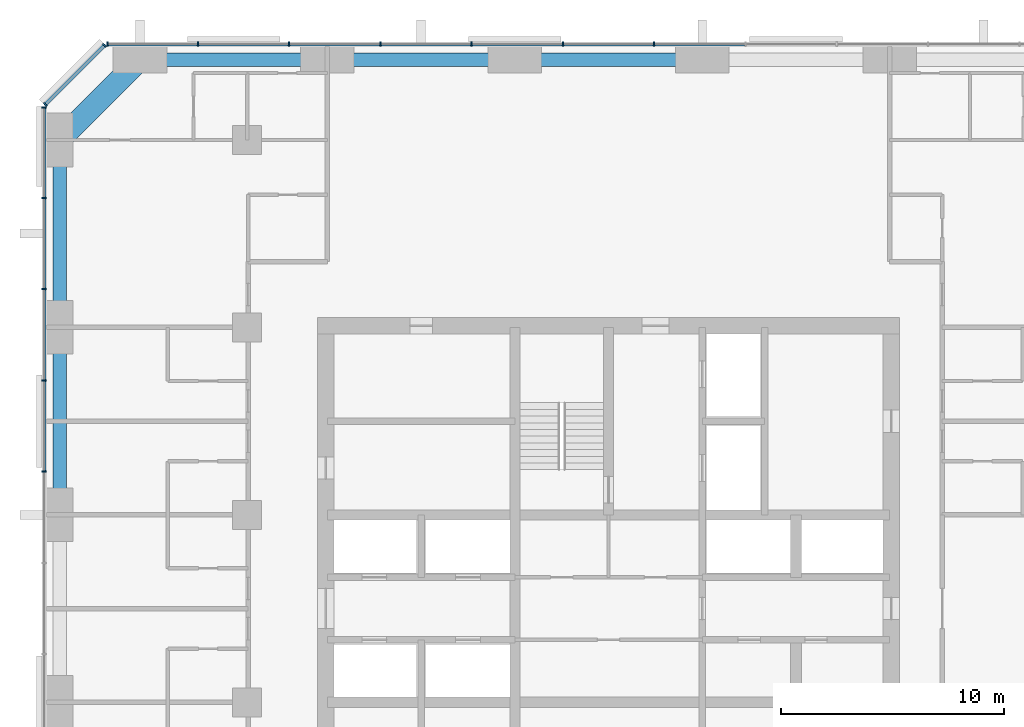
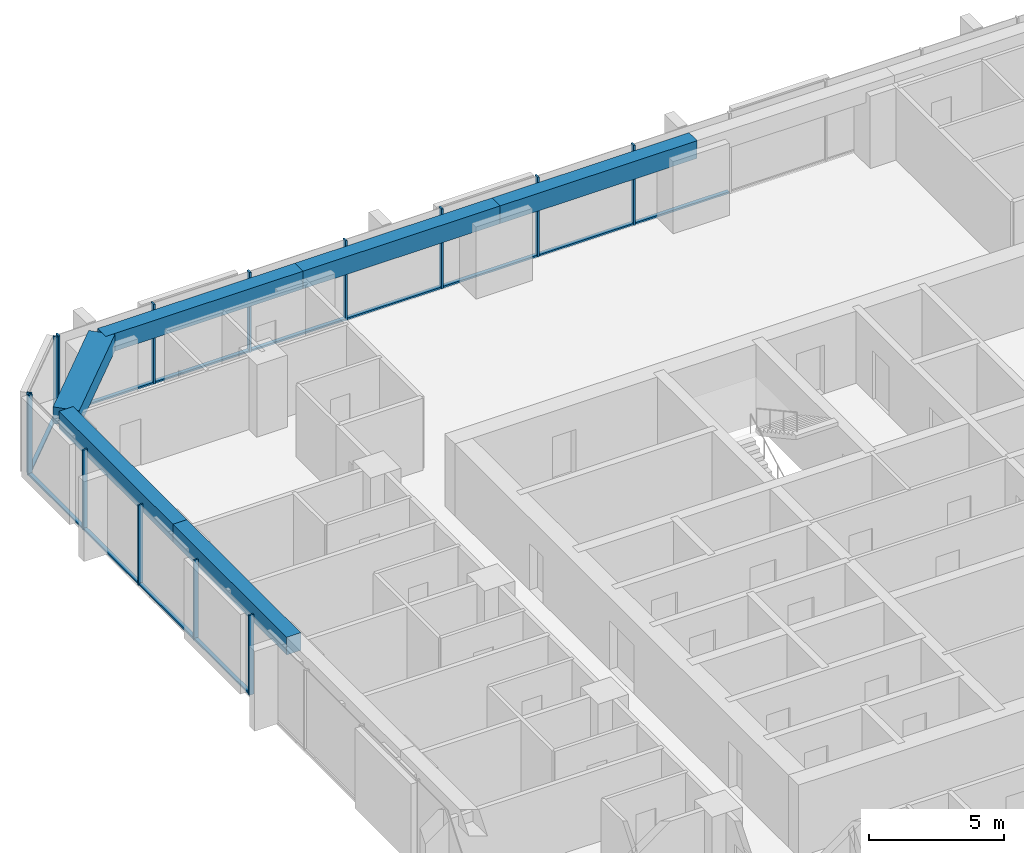
# One storey, part 5 of 13: 26 members, 6 beams, 3 elements without a shape of their own.
"""IFC4 building model written with IfcOpenShell, lengths in metres."""

from ifc_helpers import new_model, si_unit, direction, frame, origin, origin_2d, place, context, subcontext, project, spatial, rectangle, extrude, material, material_profile, profile_set, type_object, element, aggregate, save


model = new_model("IFC4")

# Units and contexts
model_context = context("Model", 3, precision=1e-05, world=origin(), true_north=direction((0.0, 1.0)))
body_context = subcontext(model_context, "Body", "Model", "MODEL_VIEW")
ifc_project = project(units=[si_unit("LENGTHUNIT", "METRE"), si_unit("AREAUNIT", "SQUARE_METRE"), si_unit("VOLUMEUNIT", "CUBIC_METRE"), si_unit("PLANEANGLEUNIT", "RADIAN"), si_unit("MASSUNIT", "GRAM", prefix="KILO")], contexts=[model_context])

# Site, building, storey
site_placement = place(None, origin())
site = spatial("IfcSite", under=ifc_project, at=site_placement, CompositionType="ELEMENT")
building_placement = place(site_placement, origin())
building = spatial("IfcBuilding", under=site, at=building_placement, Name="Dunama Terrace Hotel", CompositionType="ELEMENT")
storey_placement = place(building_placement, frame((0.0, 0.0, 169.800048828125)))
storey = spatial("IfcBuildingStorey", under=building, at=storey_placement, Name="L43", CompositionType="ELEMENT", Elevation=169.800048828125)

# Curtain wall, members
ifc_material_1 = material(Name="Aluminium curtain wall system", Category="aluminium")
curtain_wall_type = type_object("IfcCurtainWallType", Name="Unitised fritted glass wall CW-C", PredefinedType="NOTDEFINED", material=ifc_material_1)
curtain_wall_1_placement = place(storey_placement, origin())
curtain_wall_1 = element("IfcCurtainWall", 1, at=curtain_wall_1_placement, inside=storey, type_object=curtain_wall_type, Name="Unitised fritted glass wall CW-C L43", PredefinedType="NOTDEFINED")
ifc_material_2 = material(Name="Aluminium mullion", Category="aluminium")
ifc_material_profile_1 = material_profile(ifc_material_2, rectangle(XDim=0.070068359375, YDim=0.199951171875, at=origin_2d()), Name="CWC MULLION 70X200")
ifc_profile_set_1 = profile_set([ifc_material_profile_1], Name="Aluminium mullion")
member_type_1 = type_object("IfcMemberType", Name="CWC mullion 70x200", PredefinedType="MULLION", material=ifc_profile_set_1)
member_1_placement = place(storey_placement, frame((31.445068359375, 54.699951171875, 0.0), z_axis=(0.0, 0.0, 1.0), x_axis=(-1.0, 0.0, 0.0)))
member_1 = element("IfcMember", 2, at=member_1_placement, type_object=member_type_1, Name="CWC mullion", PredefinedType="MULLION", context=body_context, shape_type="SweptSolid", body=[
    extrude(rectangle(XDim=0.070068359375, YDim=0.199951171875, at=origin_2d()), origin(), (0.0, 0.0, 1.0), 3.599853515625),
])
member_2_placement = place(storey_placement, frame((27.35498046875, 54.699951171875, 0.0), z_axis=(0.0, 0.0, 1.0), x_axis=(-1.0, 0.0, 0.0)))
member_2 = element("IfcMember", 3, at=member_2_placement, type_object=member_type_1, Name="CWC mullion", PredefinedType="MULLION", context=body_context, shape_type="SweptSolid", body=[
    extrude(rectangle(XDim=0.070068359375, YDim=0.199951171875, at=origin_2d()), origin(), (0.0, 0.0, 1.0), 3.599853515625),
])
member_3_placement = place(storey_placement, frame((23.263916015625, 54.699951171875, 0.0), z_axis=(0.0, 0.0, 1.0), x_axis=(-1.0, 0.0, 0.0)))
member_3 = element("IfcMember", 4, at=member_3_placement, type_object=member_type_1, Name="CWC mullion", PredefinedType="MULLION", context=body_context, shape_type="SweptSolid", body=[
    extrude(rectangle(XDim=0.070068359375, YDim=0.199951171875, at=origin_2d()), origin(), (0.0, 0.0, 1.0), 3.599853515625),
])
member_4_placement = place(storey_placement, frame((19.173095703125, 54.699951171875, 0.0), z_axis=(0.0, 0.0, 1.0), x_axis=(-1.0, 0.0, 0.0)))
member_4 = element("IfcMember", 5, at=member_4_placement, type_object=member_type_1, Name="CWC mullion", PredefinedType="MULLION", context=body_context, shape_type="SweptSolid", body=[
    extrude(rectangle(XDim=0.070068359375, YDim=0.199951171875, at=origin_2d()), origin(), (0.0, 0.0, 1.0), 3.599853515625),
])
member_5_placement = place(storey_placement, frame((15.08203125, 54.699951171875, 0.0), z_axis=(0.0, 0.0, 1.0), x_axis=(-1.0, 0.0, 0.0)))
member_5 = element("IfcMember", 6, at=member_5_placement, type_object=member_type_1, Name="CWC mullion", PredefinedType="MULLION", context=body_context, shape_type="SweptSolid", body=[
    extrude(rectangle(XDim=0.070068359375, YDim=0.199951171875, at=origin_2d()), origin(), (0.0, 0.0, 1.0), 3.599853515625),
])
member_6_placement = place(storey_placement, frame((10.990966796875, 54.699951171875, 0.0), z_axis=(0.0, 0.0, 1.0), x_axis=(-1.0, 0.0, 0.0)))
member_6 = element("IfcMember", 7, at=member_6_placement, type_object=member_type_1, Name="CWC mullion", PredefinedType="MULLION", context=body_context, shape_type="SweptSolid", body=[
    extrude(rectangle(XDim=0.070068359375, YDim=0.199951171875, at=origin_2d()), origin(), (0.0, 0.0, 1.0), 3.599853515625),
])
member_7_placement = place(storey_placement, frame((6.93505859375, 54.699951171875, 0.0), z_axis=(0.0, 0.0, 1.0), x_axis=(-1.0, 0.0, 0.0)))
member_7 = element("IfcMember", 8, at=member_7_placement, type_object=member_type_1, Name="CWC mullion", PredefinedType="MULLION", context=body_context, shape_type="SweptSolid", body=[
    extrude(rectangle(XDim=0.070068359375, YDim=0.199951171875, at=origin_2d()), origin(), (0.0, 0.0, 1.0), 3.599853515625),
])

curtain_wall_2_placement = place(storey_placement, origin())
curtain_wall_2 = element("IfcCurtainWall", 9, at=curtain_wall_2_placement, inside=storey, type_object=curtain_wall_type, Name="Unitised fritted glass wall CW-C L43", PredefinedType="NOTDEFINED")
member_8_placement = place(storey_placement, frame((6.804931640625, 54.64599609375, 0.0), z_axis=(0.0, 0.0, 1.0), x_axis=(-0.707106781187, -0.707106781187, 0.0)))
member_8 = element("IfcMember", 10, at=member_8_placement, type_object=member_type_1, Name="CWC mullion", PredefinedType="MULLION", context=body_context, shape_type="SweptSolid", body=[
    extrude(rectangle(XDim=0.070068359375, YDim=0.199951171875, at=origin_2d()), origin(), (0.0, 0.0, 1.0), 3.599853515625),
])
member_9_placement = place(storey_placement, frame((4.154052734375, 51.9951171875, 0.0), z_axis=(0.0, 0.0, 1.0), x_axis=(-0.707106781187, -0.707106781187, 0.0)))
member_9 = element("IfcMember", 11, at=member_9_placement, type_object=member_type_1, Name="CWC mullion", PredefinedType="MULLION", context=body_context, shape_type="SweptSolid", body=[
    extrude(rectangle(XDim=0.070068359375, YDim=0.199951171875, at=origin_2d()), origin(), (0.0, 0.0, 1.0), 3.599853515625),
])

curtain_wall_3_placement = place(storey_placement, origin())
curtain_wall_3 = element("IfcCurtainWall", 12, at=curtain_wall_3_placement, inside=storey, type_object=curtain_wall_type, Name="Unitised fritted glass wall CW-C L43", PredefinedType="NOTDEFINED")
member_10_placement = place(storey_placement, frame((4.10009765625, 51.864990234375, 0.0), z_axis=(0.0, 0.0, 1.0), x_axis=(0.0, -1.0, 0.0)))
member_10 = element("IfcMember", 13, at=member_10_placement, type_object=member_type_1, Name="CWC mullion", PredefinedType="MULLION", context=body_context, shape_type="SweptSolid", body=[
    extrude(rectangle(XDim=0.070068359375, YDim=0.199951171875, at=origin_2d()), origin(), (0.0, 0.0, 1.0), 3.599853515625),
])
member_11_placement = place(storey_placement, frame((4.10009765625, 47.80908203125, 0.0), z_axis=(0.0, 0.0, 1.0), x_axis=(0.0, -1.0, 0.0)))
member_11 = element("IfcMember", 14, at=member_11_placement, type_object=member_type_1, Name="CWC mullion", PredefinedType="MULLION", context=body_context, shape_type="SweptSolid", body=[
    extrude(rectangle(XDim=0.070068359375, YDim=0.199951171875, at=origin_2d()), origin(), (0.0, 0.0, 1.0), 3.599853515625),
])
member_12_placement = place(storey_placement, frame((4.10009765625, 43.718017578125, 0.0), z_axis=(0.0, 0.0, 1.0), x_axis=(0.0, -1.0, 0.0)))
member_12 = element("IfcMember", 15, at=member_12_placement, type_object=member_type_1, Name="CWC mullion", PredefinedType="MULLION", context=body_context, shape_type="SweptSolid", body=[
    extrude(rectangle(XDim=0.070068359375, YDim=0.199951171875, at=origin_2d()), origin(), (0.0, 0.0, 1.0), 3.599853515625),
])
member_13_placement = place(storey_placement, frame((4.10009765625, 39.626953125, 0.0), z_axis=(0.0, 0.0, 1.0), x_axis=(0.0, -1.0, 0.0)))
member_13 = element("IfcMember", 16, at=member_13_placement, type_object=member_type_1, Name="CWC mullion", PredefinedType="MULLION", context=body_context, shape_type="SweptSolid", body=[
    extrude(rectangle(XDim=0.070068359375, YDim=0.199951171875, at=origin_2d()), origin(), (0.0, 0.0, 1.0), 3.599853515625),
])
member_14_placement = place(storey_placement, frame((4.10009765625, 35.535888671875, 0.0), z_axis=(0.0, 0.0, 1.0), x_axis=(0.0, -1.0, 0.0)))
member_14 = element("IfcMember", 17, at=member_14_placement, type_object=member_type_1, Name="CWC mullion", PredefinedType="MULLION", context=body_context, shape_type="SweptSolid", body=[
    extrude(rectangle(XDim=0.070068359375, YDim=0.199951171875, at=origin_2d()), origin(), (0.0, 0.0, 1.0), 3.599853515625),
])

# Member
ifc_material_3 = material(Name="Aluminium transom", Category="aluminium")
ifc_material_profile_2 = material_profile(ifc_material_3, rectangle(XDim=0.159912109375, YDim=0.080078125, at=origin_2d()), Name="CWC TRANSOM 160X80")
ifc_profile_set_2 = profile_set([ifc_material_profile_2], Name="Aluminium transom")
member_type_2 = type_object("IfcMemberType", Name="CWC transom 160x80", PredefinedType="USERDEFINED", material=ifc_profile_set_2)
member_15_placement = place(storey_placement, frame((35.5009765625, 54.699951171875, 0.0400390625), z_axis=(-1.0, 0.0, 0.0), x_axis=(0.0, -1.0, 0.0)))
member_15 = element("IfcMember", 18, at=member_15_placement, type_object=member_type_2, Name="CWC transom", ObjectType="TRANSOM", PredefinedType="USERDEFINED", context=body_context, shape_type="SweptSolid", body=[
    extrude(rectangle(XDim=0.159912109375, YDim=0.080078125, at=origin_2d()), origin(), (0.0, 0.0, 1.0), 4.02099609375),
])

member_16_placement = place(storey_placement, frame((31.409912109375, 54.699951171875, 0.0400390625), z_axis=(-1.0, 0.0, 0.0), x_axis=(0.0, -1.0, 0.0)))
member_16 = element("IfcMember", 19, at=member_16_placement, type_object=member_type_2, Name="CWC transom", ObjectType="TRANSOM", PredefinedType="USERDEFINED", context=body_context, shape_type="SweptSolid", body=[
    extrude(rectangle(XDim=0.159912109375, YDim=0.080078125, at=origin_2d()), origin(), (0.0, 0.0, 1.0), 4.02001953125),
])

member_17_placement = place(storey_placement, frame((27.320068359375, 54.699951171875, 0.0400390625), z_axis=(-1.0, 0.0, 0.0), x_axis=(0.0, -1.0, 0.0)))
member_17 = element("IfcMember", 20, at=member_17_placement, type_object=member_type_2, Name="CWC transom", ObjectType="TRANSOM", PredefinedType="USERDEFINED", context=body_context, shape_type="SweptSolid", body=[
    extrude(rectangle(XDim=0.159912109375, YDim=0.080078125, at=origin_2d()), origin(), (0.0, 0.0, 1.0), 4.02099609375),
])

member_18_placement = place(storey_placement, frame((23.22900390625, 54.699951171875, 0.0400390625), z_axis=(-1.0, 0.0, 0.0), x_axis=(0.0, -1.0, 0.0)))
member_18 = element("IfcMember", 21, at=member_18_placement, type_object=member_type_2, Name="CWC transom", ObjectType="TRANSOM", PredefinedType="USERDEFINED", context=body_context, shape_type="SweptSolid", body=[
    extrude(rectangle(XDim=0.159912109375, YDim=0.080078125, at=origin_2d()), origin(), (0.0, 0.0, 1.0), 4.02099609375),
])

member_19_placement = place(storey_placement, frame((19.137939453125, 54.699951171875, 0.0400390625), z_axis=(-1.0, 0.0, 0.0), x_axis=(0.0, -1.0, 0.0)))
member_19 = element("IfcMember", 22, at=member_19_placement, type_object=member_type_2, Name="CWC transom", ObjectType="TRANSOM", PredefinedType="USERDEFINED", context=body_context, shape_type="SweptSolid", body=[
    extrude(rectangle(XDim=0.159912109375, YDim=0.080078125, at=origin_2d()), origin(), (0.0, 0.0, 1.0), 4.02099609375),
])

member_20_placement = place(storey_placement, frame((15.047119140625, 54.699951171875, 0.0400390625), z_axis=(-1.0, 0.0, 0.0), x_axis=(0.0, -1.0, 0.0)))
member_20 = element("IfcMember", 23, at=member_20_placement, type_object=member_type_2, Name="CWC transom", ObjectType="TRANSOM", PredefinedType="USERDEFINED", context=body_context, shape_type="SweptSolid", body=[
    extrude(rectangle(XDim=0.159912109375, YDim=0.080078125, at=origin_2d()), origin(), (0.0, 0.0, 1.0), 4.021240234375),
])

member_21_placement = place(storey_placement, frame((10.9560546875, 54.699951171875, 0.0400390625), z_axis=(-1.0, 0.0, 0.0), x_axis=(0.0, -1.0, 0.0)))
member_21 = element("IfcMember", 24, at=member_21_placement, type_object=member_type_2, Name="CWC transom", ObjectType="TRANSOM", PredefinedType="USERDEFINED", context=body_context, shape_type="SweptSolid", body=[
    extrude(rectangle(XDim=0.159912109375, YDim=0.080078125, at=origin_2d()), origin(), (0.0, 0.0, 1.0), 3.986083984375),
])

aggregate(curtain_wall_1, [member_1, member_2, member_3, member_4, member_5, member_6, member_7, member_15, member_16, member_17, member_18, member_19, member_20, member_21])

member_22_placement = place(storey_placement, frame((6.780029296875, 54.62109375, 0.0400390625), z_axis=(-0.707106781187, -0.707106781187, 0.0), x_axis=(0.707106781187, -0.707106781187, 0.0)))
member_22 = element("IfcMember", 25, at=member_22_placement, type_object=member_type_2, Name="CWC transom", ObjectType="TRANSOM", PredefinedType="USERDEFINED", context=body_context, shape_type="SweptSolid", body=[
    extrude(rectangle(XDim=0.159912109375, YDim=0.080078125, at=origin_2d()), origin(), (0.0, 0.0, 1.0), 3.678466796875),
])

aggregate(curtain_wall_2, [member_8, member_9, member_22])

member_23_placement = place(storey_placement, frame((4.10009765625, 51.830078125, 0.0400390625), z_axis=(0.0, -1.0, 0.0), x_axis=(1.0, 0.0, 0.0)))
member_23 = element("IfcMember", 26, at=member_23_placement, type_object=member_type_2, Name="CWC transom", ObjectType="TRANSOM", PredefinedType="USERDEFINED", context=body_context, shape_type="SweptSolid", body=[
    extrude(rectangle(XDim=0.159912109375, YDim=0.080078125, at=origin_2d()), origin(), (0.0, 0.0, 1.0), 3.986083984375),
])

member_24_placement = place(storey_placement, frame((4.10009765625, 47.77392578125, 0.0400390625), z_axis=(0.0, -1.0, 0.0), x_axis=(1.0, 0.0, 0.0)))
member_24 = element("IfcMember", 27, at=member_24_placement, type_object=member_type_2, Name="CWC transom", ObjectType="TRANSOM", PredefinedType="USERDEFINED", context=body_context, shape_type="SweptSolid", body=[
    extrude(rectangle(XDim=0.159912109375, YDim=0.080078125, at=origin_2d()), origin(), (0.0, 0.0, 1.0), 4.02099609375),
])

member_25_placement = place(storey_placement, frame((4.10009765625, 43.68310546875, 0.0400390625), z_axis=(0.0, -1.0, 0.0), x_axis=(1.0, 0.0, 0.0)))
member_25 = element("IfcMember", 28, at=member_25_placement, type_object=member_type_2, Name="CWC transom", ObjectType="TRANSOM", PredefinedType="USERDEFINED", context=body_context, shape_type="SweptSolid", body=[
    extrude(rectangle(XDim=0.159912109375, YDim=0.080078125, at=origin_2d()), origin(), (0.0, 0.0, 1.0), 4.02099609375),
])

member_26_placement = place(storey_placement, frame((4.10009765625, 39.592041015625, 0.0400390625), z_axis=(0.0, -1.0, 0.0), x_axis=(1.0, 0.0, 0.0)))
member_26 = element("IfcMember", 29, at=member_26_placement, type_object=member_type_2, Name="CWC transom", ObjectType="TRANSOM", PredefinedType="USERDEFINED", context=body_context, shape_type="SweptSolid", body=[
    extrude(rectangle(XDim=0.159912109375, YDim=0.080078125, at=origin_2d()), origin(), (0.0, 0.0, 1.0), 4.02099609375),
])

aggregate(curtain_wall_3, [member_10, member_11, member_12, member_13, member_14, member_23, member_24, member_25, member_26])

# Beams
ifc_material_4 = material(Name="Concrete C50/60", Category="concrete")
ifc_material_profile_3 = material_profile(ifc_material_4, rectangle(XDim=1.0, YDim=0.75, at=origin_2d()), Name="RC 1000x750")
ifc_profile_set_3 = profile_set([ifc_material_profile_3], Name="Concrete C50/60")
beam_type_1 = type_object("IfcBeamType", Name="Edge beam RC 1000x750", PredefinedType="SPANDREL", material=ifc_profile_set_3)
beam_1_placement = place(storey_placement, frame((8.39990234375, 54.0, 3.224853515625), z_axis=(-0.707082803744, -0.707130757816, 0.0), x_axis=(0.707130757816, -0.707082803744, 0.0)))
element("IfcBeam", 30, at=beam_1_placement, inside=storey, type_object=beam_type_1, Name="Corner edge beam under L44", PredefinedType="SPANDREL", context=body_context, shape_type="SweptSolid", body=[
    extrude(rectangle(XDim=1.0, YDim=0.75, at=origin_2d()), origin(), (0.0, 0.0, 1.0), 5.091064453125),
])
ifc_material_5 = material(Name="Concrete C40/50", Category="concrete")
ifc_material_profile_4 = material_profile(ifc_material_5, rectangle(XDim=0.60009765625, YDim=0.800048828125, at=origin_2d()), Name="RC 600x800")
ifc_profile_set_4 = profile_set([ifc_material_profile_4], Name="Concrete C40/50")
beam_type_2 = type_object("IfcBeamType", Name="Edge beam RC 600x800", PredefinedType="SPANDREL", material=ifc_profile_set_4)
for number, where, z_axis, x_axis, name in (
    (31, (4.800048828125, 33.60009765625, 3.199951171875), (0.0, 1.0, 0.0), (-1.0, 0.0, 0.0), "Edge beam under L44"),
    (32, (4.800048828125, 42.0, 3.199951171875), (0.0, 1.0, 0.0), (-1.0, 0.0, 0.0), "Edge beam under L44"),
):
    element("IfcBeam", number, at=place(storey_placement, frame(where, z_axis=z_axis, x_axis=x_axis)), inside=storey, type_object=beam_type_2, Name=name, PredefinedType="SPANDREL", context=body_context, shape_type="SweptSolid", body=[
        extrude(rectangle(XDim=0.60009765625, YDim=0.800048828125, at=origin_2d()), origin(), (0.0, 0.0, 1.0), 8.39990234375),
    ])
beam_2_placement = place(storey_placement, frame((8.39990234375, 54.0, 3.199951171875), z_axis=(1.0, 0.0, 0.0), x_axis=(0.0, 1.0, 0.0)))
element("IfcBeam", 33, at=beam_2_placement, inside=storey, type_object=beam_type_2, Name="Edge beam under L44", PredefinedType="SPANDREL", context=body_context, shape_type="SweptSolid", body=[
    extrude(rectangle(XDim=0.60009765625, YDim=0.800048828125, at=origin_2d()), origin(), (0.0, 0.0, 1.0), 8.400146484375),
])
beam_3_placement = place(storey_placement, frame((16.800048828125, 54.0, 3.199951171875), z_axis=(1.0, 0.0, 0.0), x_axis=(0.0, 1.0, 0.0)))
element("IfcBeam", 34, at=beam_3_placement, inside=storey, type_object=beam_type_2, Name="Edge beam under L44", PredefinedType="SPANDREL", context=body_context, shape_type="SweptSolid", body=[
    extrude(rectangle(XDim=0.60009765625, YDim=0.800048828125, at=origin_2d()), origin(), (0.0, 0.0, 1.0), 8.39990234375),
])
beam_4_placement = place(storey_placement, frame((25.199951171875, 54.0, 3.199951171875), z_axis=(1.0, 0.0, 0.0), x_axis=(0.0, 1.0, 0.0)))
element("IfcBeam", 35, at=beam_4_placement, inside=storey, type_object=beam_type_2, Name="Edge beam under L44", PredefinedType="SPANDREL", context=body_context, shape_type="SweptSolid", body=[
    extrude(rectangle(XDim=0.60009765625, YDim=0.800048828125, at=origin_2d()), origin(), (0.0, 0.0, 1.0), 8.400146484375),
])

save(model, "model.ifc")
